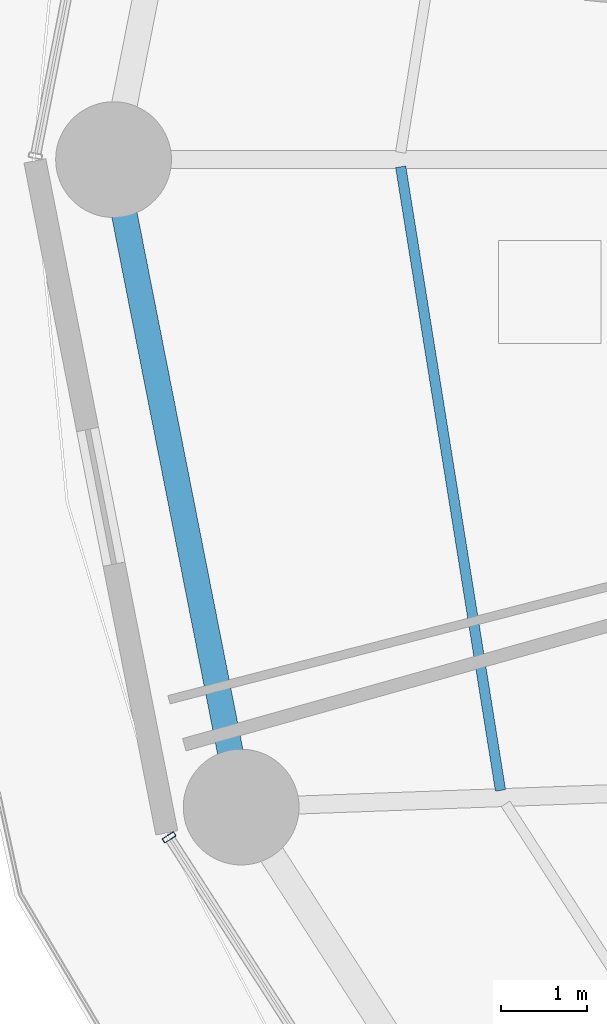
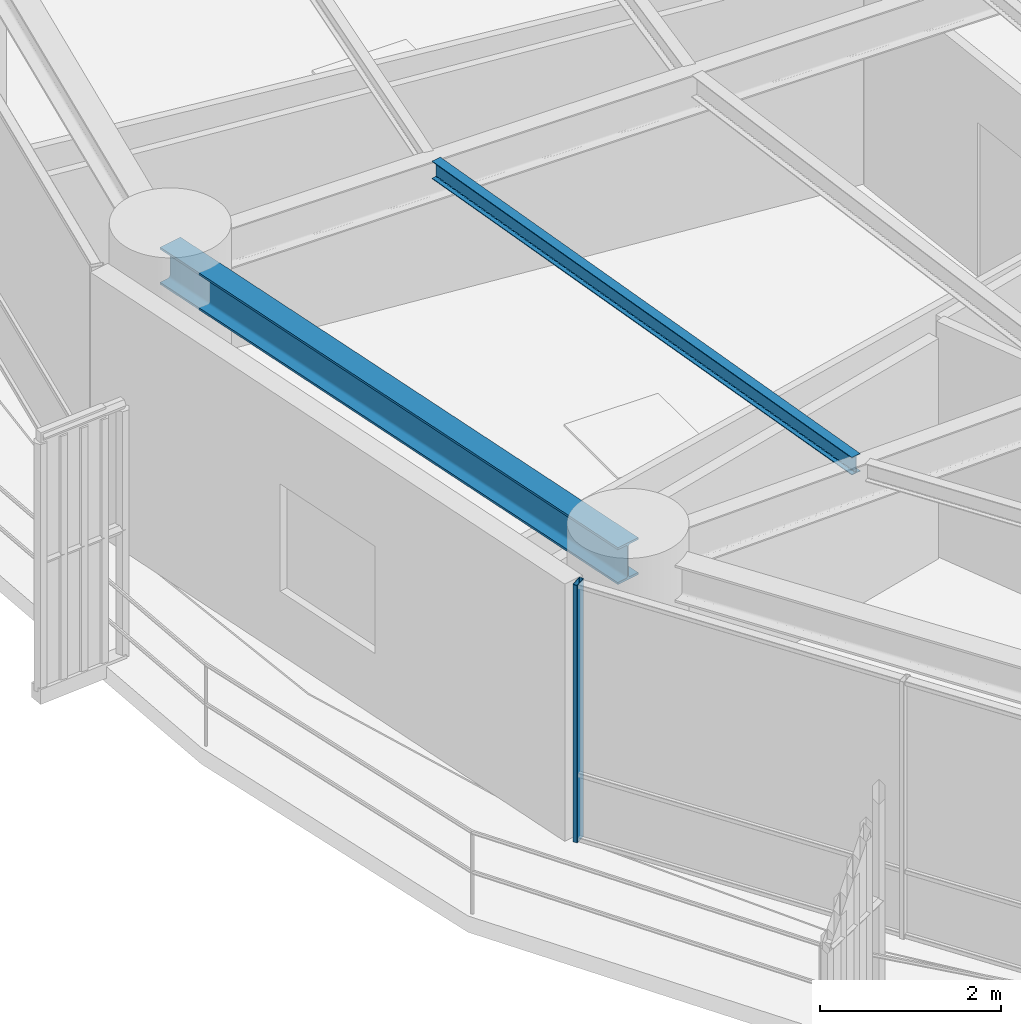
# One storey, part 6 of 36: 2 beams, 1 member, 1 element without a shape of its own.
"""IFC4 building model written with IfcOpenShell, lengths in metres."""

from ifc_helpers import new_model, si_unit, direction, frame, origin, origin_2d, place, context, subcontext, project, spatial, hollow_rectangle, i_section, extrude, material, layer, layer_set, material_profile, profile_set, type_object, element, aggregate, save


model = new_model("IFC4")

# Units and contexts
model_context = context("Model", 3, precision=1e-05, world=origin(), true_north=direction((0.0, 1.0)))
body_context = subcontext(model_context, "Body", "Model", "MODEL_VIEW")
ifc_project = project(units=[si_unit("LENGTHUNIT", "METRE"), si_unit("AREAUNIT", "SQUARE_METRE"), si_unit("VOLUMEUNIT", "CUBIC_METRE"), si_unit("PLANEANGLEUNIT", "RADIAN"), si_unit("MASSUNIT", "GRAM", prefix="KILO")], contexts=[model_context])

# Site, building, storey
site_placement = place(None, origin())
site = spatial("IfcSite", under=ifc_project, at=site_placement, CompositionType="ELEMENT")
building_placement = place(site_placement, origin())
building = spatial("IfcBuilding", under=site, at=building_placement, Name="Kelanora Arch Commons", CompositionType="ELEMENT")
storey_placement = place(building_placement, frame((0.0, 0.0, 98.85009765625)))
storey = spatial("IfcBuildingStorey", under=building, at=storey_placement, Name="L25", CompositionType="ELEMENT", Elevation=98.85009765625)

# Beams
ifc_material_1 = material(Name="Steel S355", Category="steel")
ifc_material_profile_1 = material_profile(ifc_material_1, i_section(OverallWidth=0.1201171875, OverallDepth=0.239990234375, WebThickness=0.006103515625, FlangeThickness=0.009765625, FilletRadius=0.014892578125, at=origin_2d()), Name="IPE240")
ifc_profile_set_1 = profile_set([ifc_material_profile_1], Name="Steel S355")
beam_type_1 = type_object("IfcBeamType", Name="BM-JST-02", PredefinedType="JOIST", material=ifc_profile_set_1)
beam_1_placement = place(storey_placement, frame((52.66943359375, 57.916015625, 3.369873046875), z_axis=(0.157999549894, -0.987439184068, 0.0), x_axis=(0.987439184068, 0.157999549894, 0.0)))
element("IfcBeam", 1, at=beam_1_placement, inside=storey, type_object=beam_type_1, Name="Secondary Chord Joist BJC-18 L25", PredefinedType="JOIST", context=body_context, shape_type="SweptSolid", body=[
    extrude(i_section(OverallWidth=0.1201171875, OverallDepth=0.239990234375, WebThickness=0.006103515625, FlangeThickness=0.009765625, FilletRadius=0.014892578125, at=origin_2d()), origin(), (0.0, 0.0, 1.0), 7.365966796875),
])
ifc_material_profile_2 = material_profile(ifc_material_1, i_section(OverallWidth=0.300048828125, OverallDepth=0.5, WebThickness=0.014404296875, FlangeThickness=0.028076171875, FilletRadius=0.027099609375, at=origin_2d()), Name="HEB500")
ifc_profile_set_2 = profile_set([ifc_material_profile_2], Name="Steel S355")
beam_type_2 = type_object("IfcBeamType", Name="BM-SPN-Z2", PredefinedType="SPANDREL", material=ifc_profile_set_2)
beam_2_placement = place(storey_placement, frame((49.320068359375, 58.0, 3.239990234375), z_axis=(0.19335825777, -0.981128220037, 0.0), x_axis=(0.981128220037, 0.19335825777, 0.0)))
element("IfcBeam", 2, at=beam_2_placement, inside=storey, type_object=beam_type_2, Name="Perimeter Spandrel Beam BS-18 L25", PredefinedType="SPANDREL", context=body_context, shape_type="SweptSolid", body=[
    extrude(i_section(OverallWidth=0.300048828125, OverallDepth=0.5, WebThickness=0.014404296875, FlangeThickness=0.028076171875, FilletRadius=0.027099609375, at=origin_2d()), origin(), (0.0, 0.0, 1.0), 7.697021484375),
])

# Curtain wall, member
ifc_material_2 = material(Name="Terracotta ceramic-fritted low-E glass and aluminium", Category="masonry")
ifc_layer = layer(ifc_material_2, 0.159912109375)
ifc_layer_set = layer_set([ifc_layer], Name="Terracotta ceramic-fritted low-E glass and aluminium")
curtain_wall_type = type_object("IfcCurtainWallType", Name="CW-SYS-01", PredefinedType="NOTDEFINED", material=ifc_layer_set)
curtain_wall_placement = place(storey_placement, origin())
curtain_wall = element("IfcCurtainWall", 3, at=curtain_wall_placement, inside=storey, type_object=curtain_wall_type, Name="Unitised Curtain Wall L25-B10", PredefinedType="NOTDEFINED")
ifc_material_3 = material(Name="Powder-coated aluminium terracotta", Category="masonry")
ifc_material_profile_3 = material_profile(ifc_material_3, hollow_rectangle(XDim=0.159912109375, YDim=0.06005859375, WallThickness=0.0048828125, InnerFilletRadius=0.0048828125, OuterFilletRadius=0.010009765625, at=origin_2d()), Name="CWM160x60")
ifc_profile_set_3 = profile_set([ifc_material_profile_3], Name="Powder-coated aluminium terracotta")
member_type = type_object("IfcMemberType", Name="CWM-STD", PredefinedType="MULLION", material=ifc_profile_set_3)
member_placement = place(storey_placement, frame((49.96826171875, 50.095703125, 0.0), z_axis=(0.0, 0.0, 1.0), x_axis=(0.841268883088, 0.540616931244, 0.0)))
member = element("IfcMember", 4, at=member_placement, type_object=member_type, Name="CW-01 mullion 1", PredefinedType="MULLION", context=body_context, shape_type="SweptSolid", body=[
    extrude(hollow_rectangle(XDim=0.159912109375, YDim=0.06005859375, WallThickness=0.0048828125, InnerFilletRadius=0.0048828125, OuterFilletRadius=0.010009765625, at=origin_2d()), origin(), (0.0, 0.0, 1.0), 3.474853515625),
])
aggregate(curtain_wall, [member])

save(model, "model.ifc")
